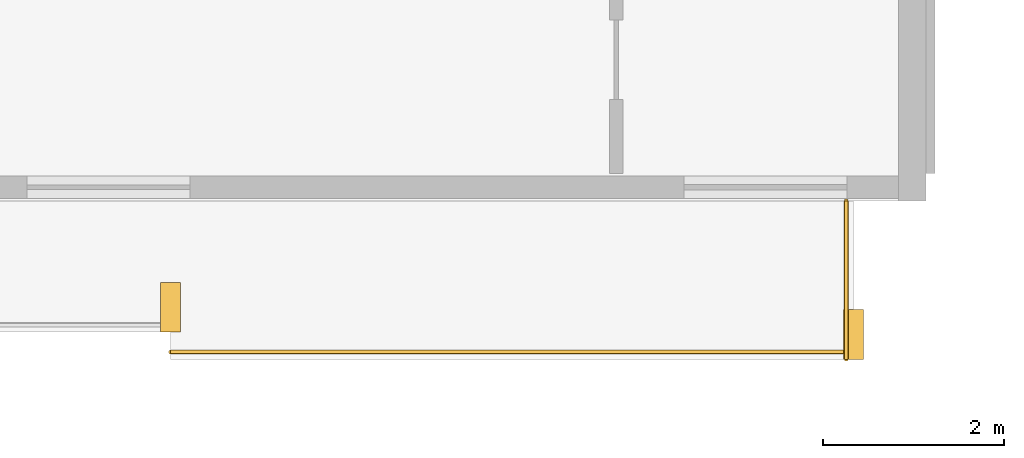
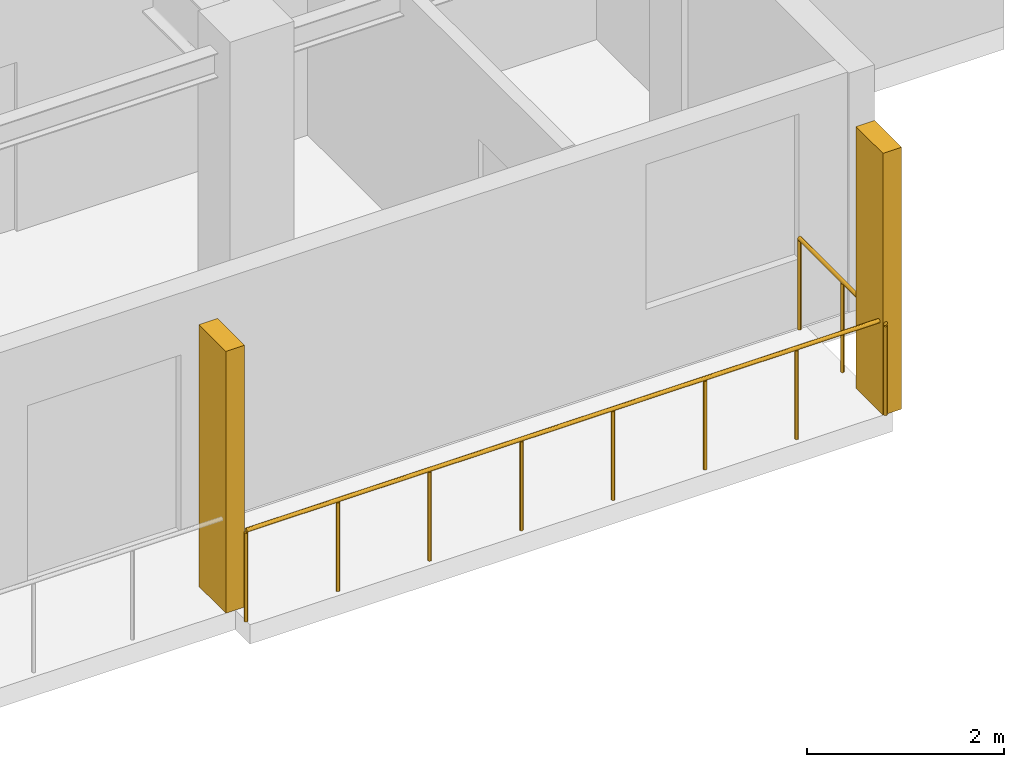
# One storey, part 28 of 30: 2 railings, 2 shading devices.
"""IFC4 building model written with IfcOpenShell, lengths in metres."""

import ifcopenshell
import ifcopenshell.guid

model = None  # the IFC model being written
_history = None  # IfcOwnerHistory: only IFC2X3 demands one
_inside = {}  # id of a spatial element -> (the spatial element, [elements in it])
_under = {}  # id of a project, library or spatial element -> (it, [spatial elements below it])
_declared = {}  # id of a project -> (the project, [libraries it declares])
_typed = {}  # id of a type object -> (the type object, [elements of that type])
_made_of = {}  # id of a material, layer set ... -> (it, [elements and type objects made of it])


def new_model(schema):
    """Start an empty IFC model of exactly this schema.

    Asked for "IFC4X3", IfcOpenShell would pick the latest addendum, in which some entities
    have other attributes; the version numbers below select the first issue.
    IFC2X3 requires an IfcOwnerHistory on every rooted entity: one is made here for all.
    """
    global model, _history
    if schema == "IFC4X3":
        model = ifcopenshell.file(schema_version=(4, 3, 0, 0))
    else:
        model = ifcopenshell.file(schema=schema)
    _inside.clear()
    _under.clear()
    _declared.clear()
    _typed.clear()
    _made_of.clear()
    _history = None
    if model.schema == "IFC2X3":
        org = make("IfcOrganization", Name="unknown")
        user = make(
            "IfcPersonAndOrganization",
            ThePerson=make("IfcPerson", FamilyName="unknown"),
            TheOrganization=org,
        )
        app = make(
            "IfcApplication",
            ApplicationDeveloper=org,
            Version="unknown",
            ApplicationFullName="unknown",
            ApplicationIdentifier="unknown",
        )
        _history = make(
            "IfcOwnerHistory",
            OwningUser=user,
            OwningApplication=app,
            ChangeAction="ADDED",
            CreationDate=0,
        )
    return model


def make(cls, **values):
    """One entity of the class cls with the attributes given. An attribute that is None is left unset."""
    return model.create_entity(
        cls, **{name: value for name, value in values.items() if value is not None}
    )


def rooted(cls, **values):
    """An entity with a GlobalId (a new one), such as an element, a storey or a relation."""
    return make(cls, GlobalId=ifcopenshell.guid.new(), OwnerHistory=_history, **values)


def si_unit(unit_type, name, prefix=None):
    """IfcSIUnit, for example si_unit("LENGTHUNIT", "METRE", prefix="MILLI")."""
    return make("IfcSIUnit", UnitType=unit_type, Prefix=prefix, Name=name)


def assignment(units):
    """IfcUnitAssignment: the units of a project."""
    return None if units is None else make("IfcUnitAssignment", Units=units)


def point(xyz):
    """IfcCartesianPoint."""
    return None if xyz is None else make("IfcCartesianPoint", Coordinates=xyz)


def direction(xyz):
    """IfcDirection."""
    return None if xyz is None else make("IfcDirection", DirectionRatios=xyz)


def frame(location, z_axis=None, x_axis=None):
    """IfcAxis2Placement3D, a coordinate frame: its origin and axes. An axis left out is left unset."""
    return make(
        "IfcAxis2Placement3D",
        Location=point(location),
        Axis=direction(z_axis),
        RefDirection=direction(x_axis),
    )


def frame_2d(location, x_axis=None):
    """IfcAxis2Placement2D, a coordinate frame in the plane: its origin and x axis."""
    return make(
        "IfcAxis2Placement2D", Location=point(location), RefDirection=direction(x_axis)
    )


def origin():
    """The frame at (0, 0, 0) with its axes left unset."""
    return frame((0.0, 0.0, 0.0))


def origin_2d():
    """The frame at (0, 0) in the plane with its x axis left unset."""
    return frame_2d((0.0, 0.0))


def place(relative_to, where):
    """IfcLocalPlacement: puts the frame where relative to a parent placement (None: the world)."""
    return make(
        "IfcLocalPlacement", PlacementRelTo=relative_to, RelativePlacement=where
    )


def context(
    kind, dimensions, precision=None, world=None, true_north=None, identifier=None
):
    """IfcGeometricRepresentationContext, for example the 3D "Model" context."""
    return make(
        "IfcGeometricRepresentationContext",
        ContextIdentifier=identifier,
        ContextType=kind,
        CoordinateSpaceDimension=dimensions,
        Precision=precision,
        WorldCoordinateSystem=world,
        TrueNorth=true_north,
    )


def subcontext(parent, identifier, kind, view, scale=None):
    """IfcGeometricRepresentationSubContext, for example "Body" below "Model"."""
    return make(
        "IfcGeometricRepresentationSubContext",
        ContextIdentifier=identifier,
        ContextType=kind,
        ParentContext=parent,
        TargetScale=scale,
        TargetView=view,
    )


def project(units=None, contexts=None):
    """IfcProject with its units and contexts."""
    return rooted(
        "IfcProject",
        Name="project",
        RepresentationContexts=contexts,
        UnitsInContext=assignment(units),
    )


def spatial(cls, under=None, at=None, **own):
    """A site, building, storey or space (cls), placed at a placement, below another one or the project."""
    s = rooted(cls, ObjectPlacement=at, **own)
    if under is not None:
        _under.setdefault(under.id(), (under, []))[1].append(s)
    return s


def profile(cls, at=None, kind="AREA", **sizes):
    """A parametric profile (cls). Its sizes go by their IFC names, for example OverallWidth=200.0."""
    return make(cls, ProfileType=kind, Position=at, **sizes)


def rectangle(**sizes):
    """IfcRectangleProfileDef."""
    return profile("IfcRectangleProfileDef", **sizes)


def circle(**sizes):
    """IfcCircleProfileDef."""
    return profile("IfcCircleProfileDef", **sizes)


def extrude(swept, where, along, depth):
    """IfcExtrudedAreaSolid: the profile swept, set in the frame where, extruded along a direction by depth."""
    return make(
        "IfcExtrudedAreaSolid",
        SweptArea=swept,
        Position=where,
        ExtrudedDirection=direction(along),
        Depth=depth,
    )


def shape(context_of_items, identifier, shape_type, items):
    """IfcShapeRepresentation: the items that make up one representation, for example the "Body"."""
    return make(
        "IfcShapeRepresentation",
        ContextOfItems=context_of_items,
        RepresentationIdentifier=identifier,
        RepresentationType=shape_type,
        Items=items,
    )


def material(Name=None, Category=None):
    """IfcMaterial."""
    return make("IfcMaterial", Name=Name, Category=Category)


def made_of(thing, what):
    """Note that an element or type object is made of a material, layer set ...; save() writes the relation."""
    if what is not None:
        _made_of.setdefault(what.id(), (what, []))[1].append(thing)
    return thing


def type_object(cls, material=None, **own):
    """A type object (cls), such as IfcWallType, which elements share."""
    return made_of(rooted(cls, **own), material)


def element(
    cls,
    number,
    at=None,
    inside=None,
    cuts=None,
    type_object=None,
    material=None,
    context=None,
    identifier="Body",
    shape_type=None,
    held_by="IfcProductDefinitionShape",
    body=None,
    shapes=None,
    **own,
):
    """One element of the class cls, such as IfcWall. Its Tag is "e" and its number.

    at: its placement. inside: the storey or other place that contains it. cuts: it is an
    opening in that element (IfcRelVoidsElement). A single representation is given by context,
    identifier, shape_type and body (its items); several are given by shapes. held_by: the class
    of the entity that holds the representations. save() writes the other relations.
    """
    e = rooted(cls, Tag="e%d" % number, ObjectPlacement=at, **own)
    if body is not None:
        shapes = [shape(context, identifier, shape_type, body)]
    if shapes is not None:
        e.Representation = make(held_by, Representations=shapes)
    if inside is not None:
        _inside.setdefault(inside.id(), (inside, []))[1].append(e)
    if cuts is not None:
        rooted(
            "IfcRelVoidsElement", RelatingBuildingElement=cuts, RelatedOpeningElement=e
        )
    if type_object is not None:
        _typed.setdefault(type_object.id(), (type_object, []))[1].append(e)
    return made_of(e, material)


def aggregate(whole, parts):
    """IfcRelAggregates: a whole, such as a stair, and the parts it consists of."""
    return rooted("IfcRelAggregates", RelatingObject=whole, RelatedObjects=parts)


def save(model, path):
    """Write the relations noted so far, then the file.

    IfcRelAggregates (storeys below a building ...), IfcRelContainedInSpatialStructure (elements
    in a storey), IfcRelDefinesByType, IfcRelAssociatesMaterial and IfcRelDeclares: one each for
    every whole, place, type object, material and project.
    """
    for whole, parts in _under.values():
        aggregate(whole, parts)
    for where, things in _inside.values():
        rooted(
            "IfcRelContainedInSpatialStructure",
            RelatedElements=things,
            RelatingStructure=where,
        )
    for kind, things in _typed.values():
        rooted("IfcRelDefinesByType", RelatedObjects=things, RelatingType=kind)
    for what, things in _made_of.values():
        rooted("IfcRelAssociatesMaterial", RelatedObjects=things, RelatingMaterial=what)
    for by, libraries in _declared.values():
        rooted("IfcRelDeclares", RelatingContext=by, RelatedDefinitions=libraries)
    model.write(path)


model = new_model("IFC4")

# Units and contexts
model_context = context("Model", 3, precision=1e-05, world=origin(), true_north=direction((0.0, 1.0)))
body_context = subcontext(model_context, "Body", "Model", "MODEL_VIEW")
ifc_project = project(units=[si_unit("LENGTHUNIT", "METRE"), si_unit("AREAUNIT", "SQUARE_METRE"), si_unit("VOLUMEUNIT", "CUBIC_METRE"), si_unit("PLANEANGLEUNIT", "RADIAN"), si_unit("MASSUNIT", "GRAM", prefix="KILO")], contexts=[model_context])

# Site, building, storey
site_placement = place(None, origin())
site = spatial("IfcSite", under=ifc_project, at=site_placement, CompositionType="ELEMENT")
building_placement = place(site_placement, origin())
building = spatial("IfcBuilding", under=site, at=building_placement, Name="Korimba Cascade Residences", CompositionType="ELEMENT")
storey_placement = place(building_placement, frame((0.0, 0.0, 201.10009765625)))
storey = spatial("IfcBuildingStorey", under=building, at=storey_placement, Name="L58", CompositionType="ELEMENT", Elevation=201.10009765625)

# Railings
ifc_material_1 = material(Name="Laminated Glass and Bronze Balustrade", Category="glass")
railing_type = type_object("IfcRailingType", Name="RLG-LOG-1150", PredefinedType="BALUSTRADE", material=ifc_material_1)
railing_1_placement = place(storey_placement, frame((120.55712890625, -9.469970703125, 0.0)))
element("IfcRailing", 1, at=railing_1_placement, inside=storey, type_object=railing_type, Name="L58 Perimeter Guardrail RLG-L58-T2-LOG-06", PredefinedType="BALUSTRADE", context=body_context, shape_type="SweptSolid", body=[
    extrude(circle(Radius=0.02392578125, at=origin_2d()), frame((0.0, 0.0, 1.1259765625), z_axis=(1.0, 0.0, 0.0), x_axis=(0.0, 1.0, 0.0)), (0.0, 0.0, 1.0), 7.54296875),
    extrude(circle(Radius=0.02099609375, at=origin_2d()), origin(), (0.0, 0.0, 1.0), 1.101806640625),
    extrude(circle(Radius=0.02099609375, at=origin_2d()), frame((1.07763671875, 0.0, 0.0)), (0.0, 0.0, 1.0), 1.101806640625),
    extrude(circle(Radius=0.02099609375, at=origin_2d()), frame((2.155029296875, 0.0, 0.0)), (0.0, 0.0, 1.0), 1.101806640625),
    extrude(circle(Radius=0.02099609375, at=origin_2d()), frame((3.232666015625, 0.0, 0.0)), (0.0, 0.0, 1.0), 1.101806640625),
    extrude(circle(Radius=0.02099609375, at=origin_2d()), frame((4.310302734375, 0.0, 0.0)), (0.0, 0.0, 1.0), 1.101806640625),
    extrude(circle(Radius=0.02099609375, at=origin_2d()), frame((5.387939453125, 0.0, 0.0)), (0.0, 0.0, 1.0), 1.101806640625),
    extrude(circle(Radius=0.02099609375, at=origin_2d()), frame((6.46533203125, 0.0, 0.0)), (0.0, 0.0, 1.0), 1.101806640625),
    extrude(circle(Radius=0.02099609375, at=origin_2d()), frame((7.54296875, 0.0, 0.0)), (0.0, 0.0, 1.0), 1.101806640625),
])
railing_2_placement = place(storey_placement, frame((128.02001953125, -9.550048828125, 0.0)))
element("IfcRailing", 2, at=railing_2_placement, inside=storey, type_object=railing_type, Name="L58 Perimeter Guardrail RLG-L58-T2-LOG-07", PredefinedType="BALUSTRADE", context=body_context, shape_type="SweptSolid", body=[
    extrude(circle(Radius=0.02392578125, at=origin_2d()), frame((0.0, 0.0, 1.1259765625), z_axis=(0.0, 1.0, 0.0), x_axis=(-1.0, 0.0, 0.0)), (0.0, 0.0, 1.0), 1.75),
    extrude(circle(Radius=0.02099609375, at=origin_2d()), origin(), (0.0, 0.0, 1.0), 1.101806640625),
    extrude(circle(Radius=0.02099609375, at=origin_2d()), frame((0.0, 0.875, 0.0)), (0.0, 0.0, 1.0), 1.101806640625),
    extrude(circle(Radius=0.02099609375, at=origin_2d()), frame((0.0, 1.75, 0.0)), (0.0, 0.0, 1.0), 1.101806640625),
])

# Shading devices
ifc_material_2 = material(Name="Honed Sandstone Precast Fin", Category="masonry")
shading_device_type = type_object("IfcShadingDeviceType", Name="SHD-FIN-550", PredefinedType="USERDEFINED", material=ifc_material_2)
for number, where, z_axis, x_axis, name in (
    (3, (120.55712890625, -8.97509765625, 0.0), (0.0, 0.0, 1.0), (1.0, 0.0, 0.0), "L58 T2 Warm-Stone Loggia Fin 7"),
    (4, (128.10009765625, -9.27490234375, 0.0), (0.0, 0.0, 1.0), (1.0, 0.0, 0.0), "L58 T2 Warm-Stone Loggia Fin 8"),
):
    element("IfcShadingDevice", number, at=place(storey_placement, frame(where, z_axis=z_axis, x_axis=x_axis)), inside=storey, type_object=shading_device_type, Name=name, ObjectType="FIN", PredefinedType="USERDEFINED", context=body_context, shape_type="SweptSolid", body=[
        extrude(rectangle(XDim=0.219970703125, YDim=0.550048828125, at=origin_2d()), origin(), (0.0, 0.0, 1.0), 3.25),
    ])

save(model, "model.ifc")
